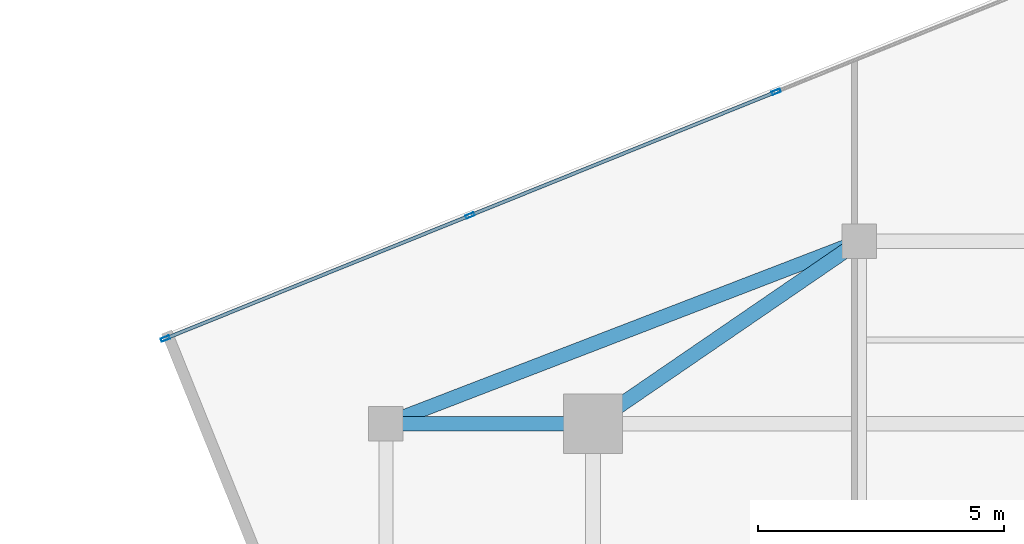
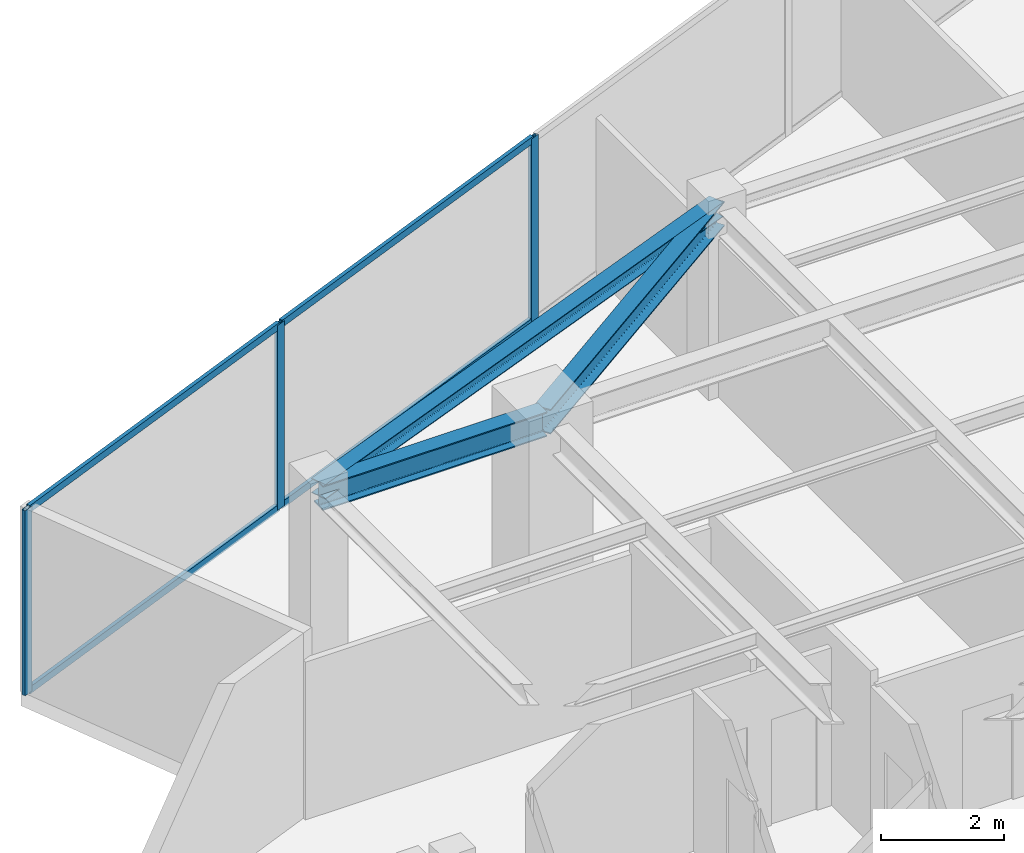
# One storey, part 13 of 21: 7 members, 3 beams, 1 element without a shape of its own.
"""IFC4 building model written with IfcOpenShell, lengths in metres."""

from ifc_helpers import new_model, si_unit, direction, frame, origin, origin_2d, place, context, subcontext, project, spatial, hollow_rectangle, i_section, extrude, source, transform, mapped, material, material_profile, profile_set, type_object, type_shapes, element, aggregate, save


model = new_model("IFC4")

# Units and contexts
model_context = context("Model", 3, precision=1e-05, world=origin(), true_north=direction((0.0, 1.0)))
body_context = subcontext(model_context, "Body", "Model", "MODEL_VIEW")
ifc_project = project(units=[si_unit("LENGTHUNIT", "METRE"), si_unit("AREAUNIT", "SQUARE_METRE"), si_unit("VOLUMEUNIT", "CUBIC_METRE"), si_unit("PLANEANGLEUNIT", "RADIAN"), si_unit("MASSUNIT", "GRAM", prefix="KILO")], contexts=[model_context])

# Site, building, storey
site_placement = place(None, origin())
site = spatial("IfcSite", under=ifc_project, at=site_placement, CompositionType="ELEMENT")
building_placement = place(site_placement, origin())
building = spatial("IfcBuilding", under=site, at=building_placement, Name="Krantzveldt Concourse Tower", CompositionType="ELEMENT")
storey_placement = place(building_placement, frame((0.0, 0.0, 327.699951171875)))
storey = spatial("IfcBuildingStorey", under=building, at=storey_placement, Name="L80", CompositionType="ELEMENT", Elevation=327.699951171875)

# Beams
ifc_material_1 = material(Name="Steel S355JR", Category="steel")
ifc_material_profile_1 = material_profile(ifc_material_1, i_section(OverallWidth=0.300048828125, OverallDepth=0.489990234375, WebThickness=0.011962890625, FlangeThickness=0.02294921875, FilletRadius=0.027099609375, at=origin_2d()), Name="Steel S355JR", Category="steel")
ifc_profile_set_1 = profile_set([ifc_material_profile_1], Name="Steel S355JR - HEA 500")
beam_type_1 = type_object("IfcBeamType", Name="BM-B-HEA500", PredefinedType="BEAM", material=ifc_profile_set_1)
shared_shape_1 = source(origin(), body_context, "Body", "SweptSolid", [
    extrude(i_section(OverallWidth=0.300048828125, OverallDepth=0.489990234375, WebThickness=0.011962890625, FlangeThickness=0.02294921875, FilletRadius=0.027099609375, at=origin_2d()), origin(), (0.0, 0.0, 1.0), 4.199951171875),
])
beam_1_placement = place(storey_placement, frame((21.0, 37.5, 3.425048828125), z_axis=(1.0, 0.0, 0.0), x_axis=(0.0, 1.0, 0.0)))
element("IfcBeam", 1, at=beam_1_placement, inside=storey, type_object=beam_type_1, Name="L80 Tower Girder BR-RL3", PredefinedType="BEAM", context=body_context, shape_type="MappedRepresentation", body=[
    mapped(shared_shape_1, transform((0.0, 0.0, 0.0), x_axis=(1.0, 0.0, 0.0), y_axis=(0.0, 1.0, 0.0), z_axis=(0.0, 0.0, 1.0), scale=1.0)),
])
shared_shape_2 = source(origin(), body_context, "Body", "SweptSolid", [
    extrude(i_section(OverallWidth=0.300048828125, OverallDepth=0.489990234375, WebThickness=0.011962890625, FlangeThickness=0.02294921875, FilletRadius=0.027099609375, at=origin_2d()), origin(), (0.0, 0.0, 1.0), 6.546142578125),
])
type_shapes(beam_type_1, [shared_shape_1, shared_shape_2])
beam_2_placement = place(storey_placement, frame((25.199951171875, 37.5, 3.425048828125), z_axis=(0.824942999484, 0.565215930068, 0.0), x_axis=(-0.565215930068, 0.824942999484, 0.0)))
element("IfcBeam", 2, at=beam_2_placement, inside=storey, type_object=beam_type_1, Name="L80 Tower Girder BR-RL4", PredefinedType="BEAM", context=body_context, shape_type="MappedRepresentation", body=[
    mapped(shared_shape_2, transform((0.0, 0.0, 0.0), x_axis=(1.0, 0.0, 0.0), y_axis=(0.0, 1.0, 0.0), z_axis=(0.0, 0.0, 1.0), scale=1.0)),
])
ifc_material_profile_2 = material_profile(ifc_material_1, i_section(OverallWidth=0.2900390625, OverallDepth=0.2900390625, WebThickness=0.008544921875, FlangeThickness=0.013916015625, FilletRadius=0.027099609375, at=origin_2d()), Name="Steel S355JR", Category="steel")
ifc_profile_set_2 = profile_set([ifc_material_profile_2], Name="Steel S355JR - HEA 300")
beam_type_2 = type_object("IfcBeamType", Name="BM-SP-HEA300", PredefinedType="SPANDREL", material=ifc_profile_set_2)
shared_shape_3 = source(origin(), body_context, "Body", "SweptSolid", [
    extrude(i_section(OverallWidth=0.2900390625, OverallDepth=0.2900390625, WebThickness=0.008544921875, FlangeThickness=0.013916015625, FilletRadius=0.027099609375, at=origin_2d()), origin(), (0.0, 0.0, 1.0), 10.288330078125),
])
type_shapes(beam_type_2, [shared_shape_3])
beam_3_placement = place(storey_placement, frame((21.0, 37.5, 3.525146484375), z_axis=(0.933097690408, 0.359622997257, 0.0), x_axis=(-0.359622997257, 0.933097690408, 0.0)))
element("IfcBeam", 3, at=beam_3_placement, inside=storey, type_object=beam_type_2, Name="L80 Tower Girder SP-R03", PredefinedType="SPANDREL", context=body_context, shape_type="MappedRepresentation", body=[
    mapped(shared_shape_3, transform((0.0, 0.0, 0.0), x_axis=(1.0, 0.0, 0.0), y_axis=(0.0, 1.0, 0.0), z_axis=(0.0, 0.0, 1.0), scale=1.0)),
])

# Curtain wall, members
ifc_material_2 = material(Name="Anodised aluminium 6063-T6", Category="aluminium")
curtain_wall_type = type_object("IfcCurtainWallType", Name="CW4", PredefinedType="USERDEFINED", material=ifc_material_2)
curtain_wall_placement = place(storey_placement, origin())
curtain_wall = element("IfcCurtainWall", 4, at=curtain_wall_placement, inside=storey, type_object=curtain_wall_type, Name="CW-L80-F01", ObjectType="UNITISED CURTAIN WALL", PredefinedType="USERDEFINED")
ifc_material_profile_3 = material_profile(ifc_material_2, hollow_rectangle(XDim=0.070068359375, YDim=0.179931640625, WallThickness=0.0048828125, at=origin_2d()), Name="Anodised aluminium 6063-T6", Category="aluminium")
ifc_profile_set_3 = profile_set([ifc_material_profile_3], Name="Anodised aluminium 6063-T6 - ALU-MULL 180x70x5")
member_type_1 = type_object("IfcMemberType", Name="CW-MUL-180", PredefinedType="MULLION", material=ifc_profile_set_3)
shared_shape_4 = source(origin(), body_context, "Body", "SweptSolid", [
    extrude(hollow_rectangle(XDim=0.070068359375, YDim=0.179931640625, WallThickness=0.0048828125, at=origin_2d()), origin(), (0.0, 0.0, 1.0), 3.670166015625),
])
type_shapes(member_type_1, [shared_shape_4])
member_1_placement = place(storey_placement, frame((28.916259765625, 44.233154296875, 0.0), z_axis=(0.0, 0.0, 1.0), x_axis=(0.374606664198, -0.927183825969, 0.0)))
member_1 = element("IfcMember", 5, at=member_1_placement, type_object=member_type_1, Name="CW-Z56 mullion 3", PredefinedType="MULLION", context=body_context, shape_type="MappedRepresentation", body=[
    mapped(shared_shape_4, transform((0.0, 0.0, 0.0), x_axis=(1.0, 0.0, 0.0), y_axis=(0.0, 1.0, 0.0), z_axis=(0.0, 0.0, 1.0), scale=1.0)),
])
member_2_placement = place(storey_placement, frame((22.7041015625, 41.72314453125, 0.0), z_axis=(0.0, 0.0, 1.0), x_axis=(0.374606664198, -0.927183825969, 0.0)))
member_2 = element("IfcMember", 6, at=member_2_placement, type_object=member_type_1, Name="CW-Z56 mullion 4", PredefinedType="MULLION", context=body_context, shape_type="MappedRepresentation", body=[
    mapped(shared_shape_4, transform((0.0, 0.0, 0.0), x_axis=(1.0, 0.0, 0.0), y_axis=(0.0, 1.0, 0.0), z_axis=(0.0, 0.0, 1.0), scale=1.0)),
])
member_3_placement = place(storey_placement, frame((16.5244140625, 39.226318359375, 0.0), z_axis=(0.0, 0.0, 1.0), x_axis=(0.374606664198, -0.927183825969, 0.0)))
member_3 = element("IfcMember", 7, at=member_3_placement, type_object=member_type_1, Name="CW-Z56 mullion 5", PredefinedType="MULLION", context=body_context, shape_type="MappedRepresentation", body=[
    mapped(shared_shape_4, transform((0.0, 0.0, 0.0), x_axis=(1.0, 0.0, 0.0), y_axis=(0.0, 1.0, 0.0), z_axis=(0.0, 0.0, 1.0), scale=1.0)),
])
ifc_material_profile_4 = material_profile(ifc_material_2, hollow_rectangle(XDim=0.070068359375, YDim=0.139892578125, WallThickness=0.0048828125, at=origin_2d()), Name="Anodised aluminium 6063-T6", Category="aluminium")
ifc_profile_set_4 = profile_set([ifc_material_profile_4], Name="Anodised aluminium 6063-T6 - ALU-TRAN 140x70x5")
member_type_2 = type_object("IfcMemberType", Name="CW-TRN-150", PredefinedType="USERDEFINED", material=ifc_profile_set_4)
shared_shape_5 = source(origin(), body_context, "Body", "SweptSolid", [
    extrude(hollow_rectangle(XDim=0.070068359375, YDim=0.139892578125, WallThickness=0.0048828125, at=origin_2d()), origin(), (0.0, 0.0, 1.0), 6.594970703125),
])
member_4_placement = place(storey_placement, frame((22.671630859375, 41.7099609375, 0.03515625), z_axis=(-0.927186951391, -0.374598928417, 0.0), x_axis=(0.374598928417, -0.927186951391, 0.0)))
member_4 = element("IfcMember", 8, at=member_4_placement, type_object=member_type_2, Name="CW-Z56 transom 4.1", ObjectType="TRANSOM", PredefinedType="USERDEFINED", context=body_context, shape_type="MappedRepresentation", body=[
    mapped(shared_shape_5, transform((0.0, 0.0, 0.0), x_axis=(1.0, 0.0, 0.0), y_axis=(0.0, 1.0, 0.0), z_axis=(0.0, 0.0, 1.0), scale=1.0)),
])
member_5_placement = place(storey_placement, frame((22.671630859375, 41.7099609375, 3.635009765625), z_axis=(-0.927186951391, -0.374598928417, 0.0), x_axis=(0.374598928417, -0.927186951391, 0.0)))
member_5 = element("IfcMember", 9, at=member_5_placement, type_object=member_type_2, Name="CW-Z56 transom 4.2", ObjectType="TRANSOM", PredefinedType="USERDEFINED", context=body_context, shape_type="MappedRepresentation", body=[
    mapped(shared_shape_5, transform((0.0, 0.0, 0.0), x_axis=(1.0, 0.0, 0.0), y_axis=(0.0, 1.0, 0.0), z_axis=(0.0, 0.0, 1.0), scale=1.0)),
])
shared_shape_6 = source(origin(), body_context, "Body", "SweptSolid", [
    extrude(hollow_rectangle(XDim=0.070068359375, YDim=0.139892578125, WallThickness=0.0048828125, at=origin_2d()), origin(), (0.0, 0.0, 1.0), 6.6298828125),
])
type_shapes(member_type_2, [shared_shape_5, shared_shape_6])
member_6_placement = place(storey_placement, frame((28.8837890625, 44.219970703125, 0.03515625), z_axis=(-0.92718355196, -0.374607342392, 0.0), x_axis=(0.374607342392, -0.92718355196, 0.0)))
member_6 = element("IfcMember", 10, at=member_6_placement, type_object=member_type_2, Name="CW-Z56 transom 3.1", ObjectType="TRANSOM", PredefinedType="USERDEFINED", context=body_context, shape_type="MappedRepresentation", body=[
    mapped(shared_shape_6, transform((0.0, 0.0, 0.0), x_axis=(1.0, 0.0, 0.0), y_axis=(0.0, 1.0, 0.0), z_axis=(0.0, 0.0, 1.0), scale=1.0)),
])
member_7_placement = place(storey_placement, frame((28.8837890625, 44.219970703125, 3.635009765625), z_axis=(-0.92718355196, -0.374607342392, 0.0), x_axis=(0.374607342392, -0.92718355196, 0.0)))
member_7 = element("IfcMember", 11, at=member_7_placement, type_object=member_type_2, Name="CW-Z56 transom 3.2", ObjectType="TRANSOM", PredefinedType="USERDEFINED", context=body_context, shape_type="MappedRepresentation", body=[
    mapped(shared_shape_6, transform((0.0, 0.0, 0.0), x_axis=(1.0, 0.0, 0.0), y_axis=(0.0, 1.0, 0.0), z_axis=(0.0, 0.0, 1.0), scale=1.0)),
])
aggregate(curtain_wall, [member_1, member_2, member_3, member_6, member_7, member_4, member_5])

save(model, "model.ifc")
